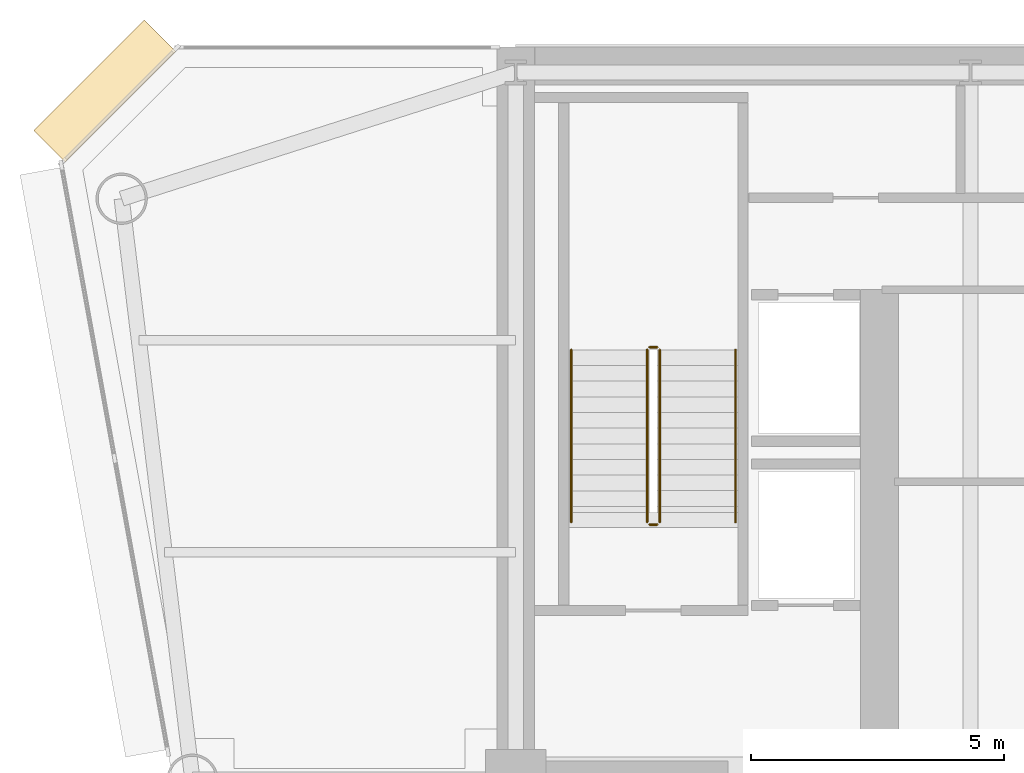
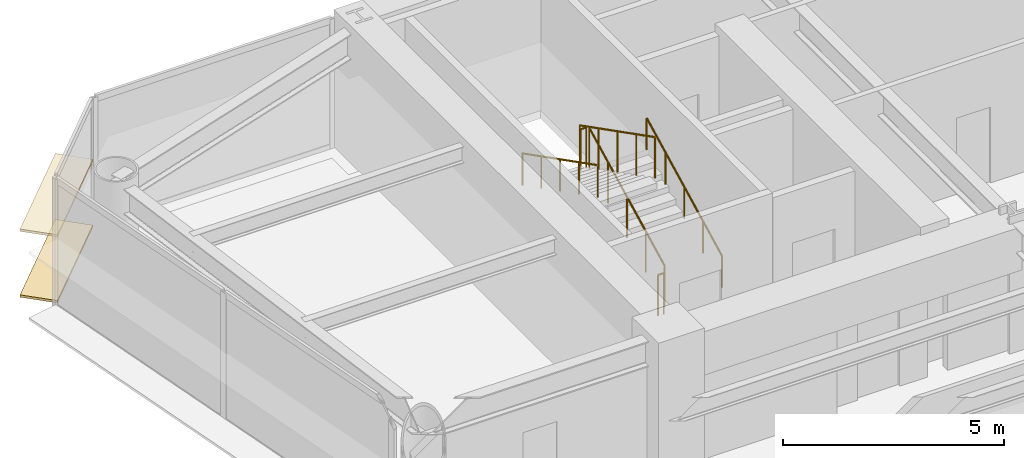
# One storey, part 12 of 14: 6 railings, 2 coverings.
"""IFC4 building model written with IfcOpenShell, lengths in metres."""

from ifc_helpers import new_model, si_unit, direction, frame, origin, origin_2d, place, context, subcontext, project, spatial, rectangle, circle, extrude, source, transform, mapped, material, layer, layer_set, type_object, element, save


model = new_model("IFC4")

# Units and contexts
model_context = context("Model", 3, precision=1e-05, world=origin(), true_north=direction((0.0, 1.0)))
body_context = subcontext(model_context, "Body", "Model", "MODEL_VIEW")
ifc_project = project(units=[si_unit("LENGTHUNIT", "METRE"), si_unit("AREAUNIT", "SQUARE_METRE"), si_unit("VOLUMEUNIT", "CUBIC_METRE"), si_unit("PLANEANGLEUNIT", "RADIAN"), si_unit("MASSUNIT", "GRAM", prefix="KILO")], contexts=[model_context])

# Site, building, storey
site_placement = place(None, origin())
site = spatial("IfcSite", under=ifc_project, at=site_placement, CompositionType="ELEMENT")
building_placement = place(site_placement, origin())
building = spatial("IfcBuilding", under=site, at=building_placement, Name="Vaeldorn Concourse Tower", CompositionType="ELEMENT")
storey_placement = place(building_placement, frame((0.0, 0.0, 141.39990234375)))
storey = spatial("IfcBuildingStorey", under=building, at=storey_placement, Name="L36", CompositionType="ELEMENT", Elevation=141.39990234375)

# Railings
ifc_material = material(Name="Anodised Bronze Aluminium", Category="aluminium")
railing_type_1 = type_object("IfcRailingType", Name="RL-STAIR-GUARD", PredefinedType="GUARDRAIL", material=ifc_material)
railing_1_placement = place(storey_placement, frame((16.85009765625, 41.60009765625, 0.158447265625)))
element("IfcRailing", 1, at=railing_1_placement, inside=storey, type_object=railing_type_1, Name="L36 ST-1 stair guard 1", PredefinedType="GUARDRAIL", context=body_context, shape_type="SweptSolid", body=[
    extrude(circle(Radius=0.02392578125, at=origin_2d()), frame((0.0, 0.0, 1.1259765625), z_axis=(0.0, 0.890555807335, 0.454873997962), x_axis=(-1.0, 0.0, 0.0)), (0.0, 0.0, 1.0), 3.828857421875),
    extrude(circle(Radius=0.02099609375, at=origin_2d()), origin(), (0.0, 0.0, 1.0), 1.101806640625),
    extrude(circle(Radius=0.02099609375, at=origin_2d()), frame((0.0, 0.8525390625, 0.435546875)), (0.0, 0.0, 1.0), 1.101806640625),
    extrude(circle(Radius=0.02099609375, at=origin_2d()), frame((0.0, 1.705078125, 0.870849609375)), (0.0, 0.0, 1.0), 1.101806640625),
    extrude(circle(Radius=0.02099609375, at=origin_2d()), frame((0.0, 2.557373046875, 1.30615234375)), (0.0, 0.0, 1.0), 1.101806640625),
    extrude(circle(Radius=0.02099609375, at=origin_2d()), frame((0.0, 3.409912109375, 1.74169921875)), (0.0, 0.0, 1.0), 1.101806640625),
])
railing_2_placement = place(storey_placement, frame((16.800048828125, 45.06005859375, 1.900146484375)))
element("IfcRailing", 2, at=railing_2_placement, inside=storey, type_object=railing_type_1, Name="L36 ST-1 stair guard 2", PredefinedType="GUARDRAIL", context=body_context, shape_type="SweptSolid", body=[
    extrude(circle(Radius=0.02392578125, at=origin_2d()), frame((0.0, 0.0, 1.1259765625), z_axis=(-1.0, 0.0, 0.0), x_axis=(0.0, -1.0, 0.0)), (0.0, 0.0, 1.0), 0.150146484375),
    extrude(circle(Radius=0.02099609375, at=origin_2d()), origin(), (0.0, 0.0, 1.0), 1.101806640625),
    extrude(circle(Radius=0.02099609375, at=origin_2d()), frame((-0.150146484375, 0.0, 0.0)), (0.0, 0.0, 1.0), 1.101806640625),
])
railing_3_placement = place(storey_placement, frame((16.60009765625, 45.010009765625, 2.058349609375)))
element("IfcRailing", 3, at=railing_3_placement, inside=storey, type_object=railing_type_1, Name="L36 ST-1 stair guard 3", PredefinedType="GUARDRAIL", context=body_context, shape_type="SweptSolid", body=[
    extrude(circle(Radius=0.02392578125, at=origin_2d()), frame((0.0, 0.0, 1.1259765625), z_axis=(0.0, -0.890555807335, 0.454873997962), x_axis=(1.0, 0.0, 0.0)), (0.0, 0.0, 1.0), 3.828857421875),
    extrude(circle(Radius=0.02099609375, at=origin_2d()), origin(), (0.0, 0.0, 1.0), 1.101806640625),
    extrude(circle(Radius=0.02099609375, at=origin_2d()), frame((0.0, -0.8525390625, 0.435546875)), (0.0, 0.0, 1.0), 1.101806640625),
    extrude(circle(Radius=0.02099609375, at=origin_2d()), frame((0.0, -1.705078125, 0.870849609375)), (0.0, 0.0, 1.0), 1.101806640625),
    extrude(circle(Radius=0.02099609375, at=origin_2d()), frame((0.0, -2.557373046875, 1.30615234375)), (0.0, 0.0, 1.0), 1.101806640625),
    extrude(circle(Radius=0.02099609375, at=origin_2d()), frame((0.0, -3.409912109375, 1.74169921875)), (0.0, 0.0, 1.0), 1.101806640625),
])
railing_4_placement = place(storey_placement, frame((16.800048828125, 41.550048828125, 0.0)))
element("IfcRailing", 4, at=railing_4_placement, inside=storey, type_object=railing_type_1, Name="L36 ST-1 stair guard 4", PredefinedType="GUARDRAIL", context=body_context, shape_type="SweptSolid", body=[
    extrude(circle(Radius=0.02392578125, at=origin_2d()), frame((0.0, 0.0, 1.1259765625), z_axis=(-1.0, 0.0, 0.0), x_axis=(0.0, -1.0, 0.0)), (0.0, 0.0, 1.0), 0.150146484375),
    extrude(circle(Radius=0.02099609375, at=origin_2d()), origin(), (0.0, 0.0, 1.0), 1.101806640625),
    extrude(circle(Radius=0.02099609375, at=origin_2d()), frame((-0.150146484375, 0.0, 0.0)), (0.0, 0.0, 1.0), 1.101806640625),
])
railing_type_2 = type_object("IfcRailingType", Name="RL-STAIR-HANDRAIL", PredefinedType="HANDRAIL", material=ifc_material)
railing_5_placement = place(storey_placement, frame((18.35009765625, 41.60009765625, 0.158447265625)))
element("IfcRailing", 5, at=railing_5_placement, inside=storey, type_object=railing_type_2, Name="L36 ST-1 stair handrail 1", PredefinedType="HANDRAIL", context=body_context, shape_type="SweptSolid", body=[
    extrude(circle(Radius=0.02392578125, at=origin_2d()), frame((0.0, 0.0, 0.8759765625), z_axis=(0.0, 0.890555807335, 0.454873997962), x_axis=(-1.0, 0.0, 0.0)), (0.0, 0.0, 1.0), 3.828857421875),
    extrude(circle(Radius=0.02099609375, at=origin_2d()), origin(), (0.0, 0.0, 1.0), 0.851806640625),
    extrude(circle(Radius=0.02099609375, at=origin_2d()), frame((0.0, 0.8525390625, 0.435546875)), (0.0, 0.0, 1.0), 0.851806640625),
    extrude(circle(Radius=0.02099609375, at=origin_2d()), frame((0.0, 1.705078125, 0.870849609375)), (0.0, 0.0, 1.0), 0.851806640625),
    extrude(circle(Radius=0.02099609375, at=origin_2d()), frame((0.0, 2.557373046875, 1.30615234375)), (0.0, 0.0, 1.0), 0.851806640625),
    extrude(circle(Radius=0.02099609375, at=origin_2d()), frame((0.0, 3.409912109375, 1.74169921875)), (0.0, 0.0, 1.0), 0.851806640625),
])
railing_6_placement = place(storey_placement, frame((15.10009765625, 45.010009765625, 2.058349609375)))
element("IfcRailing", 6, at=railing_6_placement, inside=storey, type_object=railing_type_2, Name="L36 ST-1 stair handrail 2", PredefinedType="HANDRAIL", context=body_context, shape_type="SweptSolid", body=[
    extrude(circle(Radius=0.02392578125, at=origin_2d()), frame((0.0, 0.0, 0.8759765625), z_axis=(0.0, -0.890555807335, 0.454873997962), x_axis=(1.0, 0.0, 0.0)), (0.0, 0.0, 1.0), 3.828857421875),
    extrude(circle(Radius=0.02099609375, at=origin_2d()), origin(), (0.0, 0.0, 1.0), 0.851806640625),
    extrude(circle(Radius=0.02099609375, at=origin_2d()), frame((0.0, -0.8525390625, 0.435546875)), (0.0, 0.0, 1.0), 0.851806640625),
    extrude(circle(Radius=0.02099609375, at=origin_2d()), frame((0.0, -1.705078125, 0.870849609375)), (0.0, 0.0, 1.0), 0.851806640625),
    extrude(circle(Radius=0.02099609375, at=origin_2d()), frame((0.0, -2.557373046875, 1.30615234375)), (0.0, 0.0, 1.0), 0.851806640625),
    extrude(circle(Radius=0.02099609375, at=origin_2d()), frame((0.0, -3.409912109375, 1.74169921875)), (0.0, 0.0, 1.0), 0.851806640625),
])

# Coverings
ifc_layer = layer(ifc_material, 0.06494140625)
ifc_layer_set = layer_set([ifc_layer], Name="Anodised Bronze Aluminium")
covering_type = type_object("IfcCoveringType", Name="SD-BRONZE-SUNSHADE", PredefinedType="USERDEFINED", material=ifc_layer_set)
shared_shape = source(origin(), body_context, "Body", "SweptSolid", [
    extrude(rectangle(XDim=3.0927734375, YDim=0.8798828125, at=origin_2d()), origin(), (0.0, 0.0, 1.0), 0.06494140625),
])
for number, where, z_axis, x_axis, name in (
    (7, (5.8671875, 50.1328125, 0.047607421875), (0.0, 0.0, 1.0), (-0.707106781187, -0.707106781187, 0.0), "Horizontal Bronze Sunshade L36-E10.1.1"),
    (8, (5.8671875, 50.1328125, 1.86767578125), (0.0, 0.0, 1.0), (-0.707106781187, -0.707106781187, 0.0), "Horizontal Bronze Sunshade L36-E10.1.2"),
):
    element("IfcCovering", number, at=place(storey_placement, frame(where, z_axis=z_axis, x_axis=x_axis)), inside=storey, type_object=covering_type, Name=name, ObjectType="SUNSHADE", PredefinedType="USERDEFINED", context=body_context, shape_type="MappedRepresentation", body=[
        mapped(shared_shape, transform((0.0, 0.0, 0.0), scale=1.0)),
    ])

save(model, "model.ifc")
